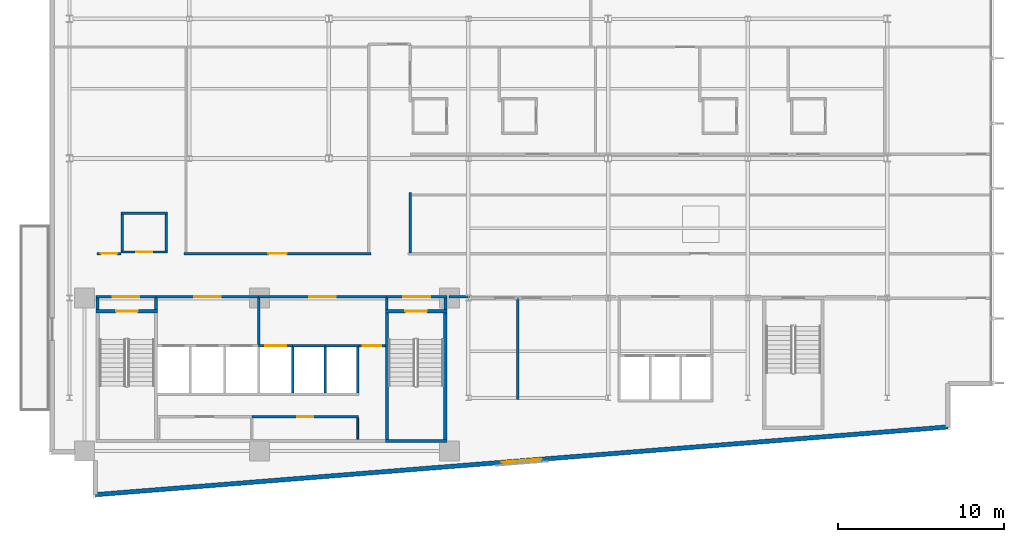
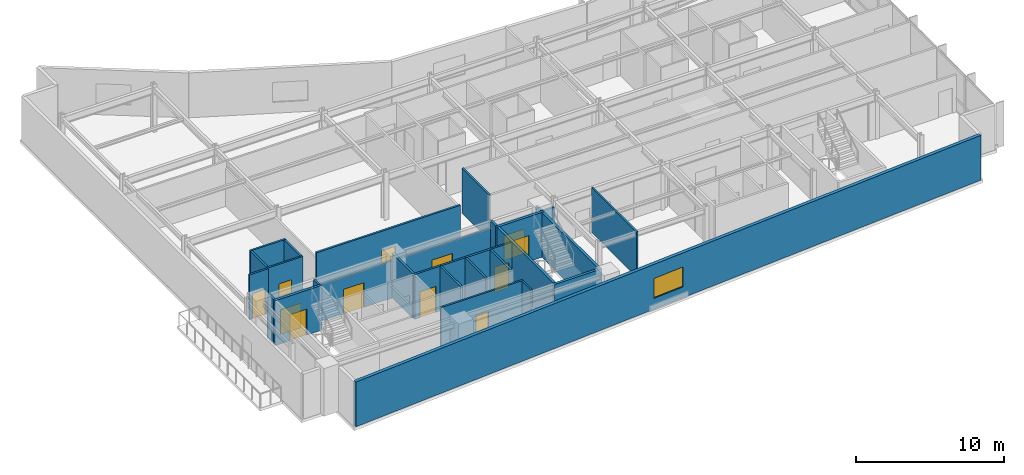
# One storey, part 10 of 18: 33 walls, 12 doors, 1 window, 13 openings.
"""IFC4 building model written with IfcOpenShell, lengths in metres."""

from ifc_helpers import new_model, si_unit, direction, frame, frame_2d, origin, place, context, subcontext, project, spatial, rectangle, extrude, material, layer, layer_set, type_object, element, fill, save


model = new_model("IFC4")

# Units and contexts
model_context = context("Model", 3, precision=1e-05, world=origin(), true_north=direction((0.0, 1.0)))
body_context = subcontext(model_context, "Body", "Model", "MODEL_VIEW")
ifc_project = project(units=[si_unit("LENGTHUNIT", "METRE"), si_unit("AREAUNIT", "SQUARE_METRE"), si_unit("VOLUMEUNIT", "CUBIC_METRE"), si_unit("PLANEANGLEUNIT", "RADIAN"), si_unit("MASSUNIT", "GRAM", prefix="KILO")], contexts=[model_context])

# Site, building, storey
site_placement = place(None, origin())
site = spatial("IfcSite", under=ifc_project, at=site_placement, CompositionType="ELEMENT")
building_placement = place(site_placement, origin())
building = spatial("IfcBuilding", under=site, at=building_placement, Name="Varnakote Quay Hospital", CompositionType="ELEMENT")
storey_placement = place(building_placement, frame((0.0, 0.0, 138.89990234375)))
storey = spatial("IfcBuildingStorey", under=building, at=storey_placement, Name="L34", CompositionType="ELEMENT", Elevation=138.89990234375)

# Wall
ifc_material_1 = material(Name="Fire-rated acoustic gypsum stud wall", Category="gypsum")
ifc_layer_1 = layer(ifc_material_1, 0.159912109375)
ifc_layer_set_1 = layer_set([ifc_layer_1], Name="Fire-rated acoustic gypsum stud wall")
wall_type_1 = type_object("IfcWallType", Name="WL-COMP-160", PredefinedType="PARTITIONING", material=ifc_layer_set_1)
wall_1_placement = place(storey_placement, frame((2.8798828125, 11.300048828125, 0.0), z_axis=(0.0, 0.0, 1.0), x_axis=(0.0, 1.0, 0.0)))
element("IfcWall", 1, at=wall_1_placement, inside=storey, type_object=wall_type_1, Name="L34 West Stair Vestibule West Wall", PredefinedType="PARTITIONING", context=body_context, shape_type="SweptSolid", body=[
    extrude(rectangle(XDim=0.699951171875, YDim=0.159912109375, at=frame_2d((0.35009765625, 0.0))), origin(), (0.0, 0.0, 1.0), 3.710205078125),
])

# Wall, opening, door
wall_2_placement = place(storey_placement, frame((2.800048828125, 12.080078125, 0.0), z_axis=(0.0, 0.0, 1.0), x_axis=(1.0, 0.0, 0.0)))
wall_2 = element("IfcWall", 2, at=wall_2_placement, inside=storey, type_object=wall_type_1, Name="L34 West Stair Vestibule Smoke Wall", PredefinedType="PARTITIONING", context=body_context, shape_type="SweptSolid", body=[
    extrude(rectangle(XDim=3.599853515625, YDim=0.159912109375, at=frame_2d((1.7998046875, 0.0))), origin(), (0.0, 0.0, 1.0), 3.0830078125),
])
opening_1_placement = place(wall_2_placement, frame((1.0, 0.0, 0.0)))
opening_1 = element("IfcOpeningElement", 3, at=opening_1_placement, cuts=wall_2, Name="Opening D-ST1L-L34", PredefinedType="OPENING", context=body_context, shape_type="SweptSolid", body=[
    extrude(rectangle(XDim=1.60009765625, YDim=2.050048828125, at=frame_2d((0.800048828125, 1.02490234375))), frame((0.0, 0.08984375, 0.0), z_axis=(0.0, -1.0, 0.0), x_axis=(1.0, 0.0, 0.0)), (0.0, 0.0, 1.0), 0.179931640625),
])
ifc_material_2 = material(Name="Fire-rated double smoke lobby door")
door_type_1 = type_object("IfcDoorType", Name="DR-LOBBY-FD60S-1600x2150", OperationType="NOTDEFINED", PredefinedType="DOOR", material=ifc_material_2)
door_1_placement = place(opening_1_placement, origin())
door_1 = element("IfcDoor", 4, at=door_1_placement, inside=storey, type_object=door_type_1, Name="L34 West Stair Vestibule Smoke Door", OperationType="DOUBLE_DOOR_SINGLE_SWING", OverallHeight=2.050048828125, OverallWidth=1.60009765625, PredefinedType="DOOR", context=body_context, shape_type="SweptSolid", body=[
    extrude(rectangle(XDim=1.60009765625, YDim=2.050048828125, at=frame_2d((0.800048828125, 1.02490234375))), frame((0.0, 0.02490234375, 0.0), z_axis=(0.0, -1.0, 0.0), x_axis=(1.0, 0.0, 0.0)), (0.0, 0.0, 1.0), 0.050048828125),
])
fill(opening_1, door_1)

# Wall
wall_3_placement = place(storey_placement, frame((6.39990234375, 11.300048828125, 0.0), z_axis=(0.0, 0.0, 1.0), x_axis=(0.0, 1.0, 0.0)))
element("IfcWall", 5, at=wall_3_placement, inside=storey, type_object=wall_type_1, Name="L34 Firefighting Lobby West Wall", PredefinedType="PARTITIONING", context=body_context, shape_type="SweptSolid", body=[
    extrude(rectangle(XDim=0.699951171875, YDim=0.159912109375, at=frame_2d((0.35009765625, 0.0))), origin(), (0.0, 0.0, 1.0), 3.710205078125),
])

# Wall, opening, door
wall_4_placement = place(storey_placement, frame((6.39990234375, 12.080078125, 0.0), z_axis=(0.0, 0.0, 1.0), x_axis=(1.0, 0.0, 0.0)))
wall_4 = element("IfcWall", 6, at=wall_4_placement, inside=storey, type_object=wall_type_1, Name="L34 Firefighting Lift Lobby Compartment Wall", PredefinedType="PARTITIONING", context=body_context, shape_type="SweptSolid", body=[
    extrude(rectangle(XDim=6.18017578125, YDim=0.159912109375, at=frame_2d((3.090087890625, 0.0))), origin(), (0.0, 0.0, 1.0), 3.0830078125),
])
opening_2_placement = place(wall_4_placement, frame((2.2900390625, 0.0, 0.0)))
opening_2 = element("IfcOpeningElement", 7, at=opening_2_placement, cuts=wall_4, Name="Opening D-FFL-L34", PredefinedType="OPENING", context=body_context, shape_type="SweptSolid", body=[
    extrude(rectangle(XDim=1.60009765625, YDim=2.050048828125, at=frame_2d((0.800048828125, 1.02490234375))), frame((0.0, 0.08984375, 0.0), z_axis=(0.0, -1.0, 0.0), x_axis=(1.0, 0.0, 0.0)), (0.0, 0.0, 1.0), 0.179931640625),
])
door_2_placement = place(opening_2_placement, origin())
door_2 = element("IfcDoor", 8, at=door_2_placement, inside=storey, type_object=door_type_1, Name="L34 Firefighting Smoke Vestibule Door", OperationType="DOUBLE_DOOR_SINGLE_SWING", OverallHeight=2.050048828125, OverallWidth=1.60009765625, PredefinedType="DOOR", context=body_context, shape_type="SweptSolid", body=[
    extrude(rectangle(XDim=1.60009765625, YDim=2.050048828125, at=frame_2d((0.800048828125, 1.02490234375))), frame((0.0, 0.02490234375, 0.0), z_axis=(0.0, -1.0, 0.0), x_axis=(1.0, 0.0, 0.0)), (0.0, 0.0, 1.0), 0.050048828125),
])
fill(opening_2, door_2)

# Wall
wall_5_placement = place(storey_placement, frame((12.580078125, 9.2099609375, 0.0), z_axis=(0.0, 0.0, 1.0), x_axis=(0.0, 1.0, 0.0)))
element("IfcWall", 9, at=wall_5_placement, inside=storey, type_object=wall_type_1, Name="L34 Firefighting to Service Lobby Wall", PredefinedType="PARTITIONING", context=body_context, shape_type="SweptSolid", body=[
    extrude(rectangle(XDim=2.7900390625, YDim=0.159912109375, at=frame_2d((1.39501953125, 0.0))), origin(), (0.0, 0.0, 1.0), 3.710205078125),
])

# Wall, opening, door
wall_6_placement = place(storey_placement, frame((12.580078125, 12.080078125, 0.0), z_axis=(0.0, 0.0, 1.0), x_axis=(1.0, 0.0, 0.0)))
wall_6 = element("IfcWall", 10, at=wall_6_placement, inside=storey, type_object=wall_type_1, Name="L34 Clinical Bed Lift Lobby Wall", PredefinedType="PARTITIONING", context=body_context, shape_type="SweptSolid", body=[
    extrude(rectangle(XDim=7.699951171875, YDim=0.159912109375, at=frame_2d((3.85009765625, 0.0))), origin(), (0.0, 0.0, 1.0), 3.0830078125),
])
opening_3_placement = place(wall_6_placement, frame((3.050048828125, 0.0, 0.0)))
opening_3 = element("IfcOpeningElement", 11, at=opening_3_placement, cuts=wall_6, Name="Opening D-SVL-L34", PredefinedType="OPENING", context=body_context, shape_type="SweptSolid", body=[
    extrude(rectangle(XDim=1.60009765625, YDim=2.050048828125, at=frame_2d((0.800048828125, 1.02490234375))), frame((0.0, 0.08984375, 0.0), z_axis=(0.0, -1.0, 0.0), x_axis=(1.0, 0.0, 0.0)), (0.0, 0.0, 1.0), 0.179931640625),
])
door_3_placement = place(opening_3_placement, origin())
door_3 = element("IfcDoor", 12, at=door_3_placement, inside=storey, type_object=door_type_1, Name="L34 Clinical Core Smoke Vestibule Door", OperationType="DOUBLE_DOOR_SINGLE_SWING", OverallHeight=2.050048828125, OverallWidth=1.60009765625, PredefinedType="DOOR", context=body_context, shape_type="SweptSolid", body=[
    extrude(rectangle(XDim=1.60009765625, YDim=2.050048828125, at=frame_2d((0.800048828125, 1.02490234375))), frame((0.0, 0.02490234375, 0.0), z_axis=(0.0, -1.0, 0.0), x_axis=(1.0, 0.0, 0.0)), (0.0, 0.0, 1.0), 0.050048828125),
])
fill(opening_3, door_3)

# Wall
wall_7_placement = place(storey_placement, frame((20.280029296875, 11.300048828125, 0.0), z_axis=(0.0, 0.0, 1.0), x_axis=(0.0, 1.0, 0.0)))
element("IfcWall", 13, at=wall_7_placement, inside=storey, type_object=wall_type_1, Name="L34 East Stair Vestibule Divider Wall", PredefinedType="PARTITIONING", context=body_context, shape_type="SweptSolid", body=[
    extrude(rectangle(XDim=0.699951171875, YDim=0.159912109375, at=frame_2d((0.35009765625, 0.0))), origin(), (0.0, 0.0, 1.0), 3.710205078125),
])

# Wall, opening, door
wall_8_placement = place(storey_placement, frame((20.280029296875, 12.080078125, 0.0), z_axis=(0.0, 0.0, 1.0), x_axis=(1.0, 0.0, 0.0)))
wall_8 = element("IfcWall", 14, at=wall_8_placement, inside=storey, type_object=wall_type_1, Name="L34 East Stair Vestibule Smoke Wall", PredefinedType="PARTITIONING", context=body_context, shape_type="SweptSolid", body=[
    extrude(rectangle(XDim=3.619873046875, YDim=0.159912109375, at=frame_2d((1.81005859375, 0.0))), origin(), (0.0, 0.0, 1.0), 3.0830078125),
])
opening_4_placement = place(wall_8_placement, frame((1.010009765625, 0.0, 0.0)))
opening_4 = element("IfcOpeningElement", 15, at=opening_4_placement, cuts=wall_8, Name="Opening D-ST2L-L34", PredefinedType="OPENING", context=body_context, shape_type="SweptSolid", body=[
    extrude(rectangle(XDim=1.60009765625, YDim=2.050048828125, at=frame_2d((0.800048828125, 1.02490234375))), frame((0.0, 0.08984375, 0.0), z_axis=(0.0, -1.0, 0.0), x_axis=(1.0, 0.0, 0.0)), (0.0, 0.0, 1.0), 0.179931640625),
])
door_4_placement = place(opening_4_placement, origin())
door_4 = element("IfcDoor", 16, at=door_4_placement, inside=storey, type_object=door_type_1, Name="L34 East Stair Vestibule Smoke Door", OperationType="DOUBLE_DOOR_SINGLE_SWING", OverallHeight=2.050048828125, OverallWidth=1.60009765625, PredefinedType="DOOR", context=body_context, shape_type="SweptSolid", body=[
    extrude(rectangle(XDim=1.60009765625, YDim=2.050048828125, at=frame_2d((0.800048828125, 1.02490234375))), frame((0.0, 0.02490234375, 0.0), z_axis=(0.0, -1.0, 0.0), x_axis=(1.0, 0.0, 0.0)), (0.0, 0.0, 1.0), 0.050048828125),
])
fill(opening_4, door_4)

# Walls
wall_9_placement = place(storey_placement, frame((23.820068359375, 11.300048828125, 0.0), z_axis=(0.0, 0.0, 1.0), x_axis=(0.0, 1.0, 0.0)))
element("IfcWall", 17, at=wall_9_placement, inside=storey, type_object=wall_type_1, Name="L34 East Stair Vestibule East Wall", PredefinedType="PARTITIONING", context=body_context, shape_type="SweptSolid", body=[
    extrude(rectangle(XDim=0.699951171875, YDim=0.159912109375, at=frame_2d((0.35009765625, 0.0))), origin(), (0.0, 0.0, 1.0), 3.710205078125),
])
wall_10_placement = place(storey_placement, frame((24.02001953125, 12.080078125, 0.0), z_axis=(0.0, 0.0, 1.0), x_axis=(1.0, 0.0, 0.0)))
element("IfcWall", 18, at=wall_10_placement, inside=storey, type_object=wall_type_1, Name="L34 Corridor South Gap Wall", PredefinedType="PARTITIONING", context=body_context, shape_type="SweptSolid", body=[
    extrude(rectangle(XDim=1.2451171875, YDim=0.159912109375, at=frame_2d((0.62255859375, 0.0))), origin(), (0.0, 0.0, 1.0), 3.0830078125),
])

# Wall, opening, window
ifc_material_3 = material(Name="Precast concrete N50 (f'c 50 MPa)", Category="concrete")
ifc_layer_2 = layer(ifc_material_3, 0.260009765625)
ifc_layer_set_2 = layer_set([ifc_layer_2], Name="Precast concrete N50 (f'c 50 MPa)")
wall_type_2 = type_object("IfcWallType", Name="WL-EXT-BRICK-260", PredefinedType="STANDARD", material=ifc_layer_set_2)
wall_11_placement = place(storey_placement, frame((2.760009765625, 0.173095703125, 0.0), z_axis=(0.0, 0.0, 1.0), x_axis=(0.996857931723, 0.079210251617, 0.0)))
wall_11 = element("IfcWall", 19, at=wall_11_placement, inside=storey, type_object=wall_type_2, Name="L34 Brick-Faced Precast Exterior Wall", PredefinedType="STANDARD", context=body_context, shape_type="SweptSolid", body=[
    extrude(rectangle(XDim=51.441650390625, YDim=0.260009765625, at=frame_2d((25.720703125, 0.0))), origin(), (0.0, 0.0, 1.0), 3.710205078125),
])
opening_5_placement = place(wall_11_placement, frame((24.520751953125, 0.0, 0.89990234375)))
opening_5 = element("IfcOpeningElement", 20, at=opening_5_placement, cuts=wall_11, Name="Opening WN-0146", PredefinedType="OPENING", context=body_context, shape_type="SweptSolid", body=[
    extrude(rectangle(XDim=2.39990234375, YDim=1.64990234375, at=frame_2d((1.199951171875, 0.824951171875))), frame((0.0, 0.139892578125, 0.0), z_axis=(0.0, -1.0, 0.0), x_axis=(1.0, 0.0, 0.0)), (0.0, 0.0, 1.0), 0.280029296875),
])
ifc_material_4 = material(Name="Double-glazed low-E solar glass", Category="glass")
window_type = type_object("IfcWindowType", Name="WIN-CLIN-2400x1650", PartitioningType="SINGLE_PANEL", PredefinedType="WINDOW", material=ifc_material_4)
window_placement = place(opening_5_placement, origin())
window = element("IfcWindow", 21, at=window_placement, inside=storey, type_object=window_type, Name="L34 Solar-Control Clinical Window", OverallHeight=1.64990234375, OverallWidth=2.39990234375, PartitioningType="SINGLE_PANEL", PredefinedType="WINDOW", context=body_context, shape_type="SweptSolid", body=[
    extrude(rectangle(XDim=2.39990234375, YDim=1.64990234375, at=frame_2d((1.199951171875, 0.824951171875))), frame((0.0, 0.030029296875, 0.0), z_axis=(0.0, -1.0, 0.0), x_axis=(1.0, 0.0, 0.0)), (0.0, 0.0, 1.0), 0.06005859375),
])
fill(opening_5, window)

# Walls
ifc_material_5 = material(Name="Concrete N50 (f'c 50 MPa)", Category="concrete")
ifc_layer_3 = layer(ifc_material_5, 0.14990234375)
ifc_layer_set_3 = layer_set([ifc_layer_3], Name="Concrete N50 (f'c 50 MPa)")
wall_type_3 = type_object("IfcWallType", Name="WL-SHAFT-N50-150", PredefinedType="SHEAR", material=ifc_layer_set_3)
for number, where, z_axis, x_axis, name in (
    (22, (14.625, 6.300048828125, 0.0), (0.0, 0.0, 1.0), (0.0, 1.0, 0.0), "L34 LF-SV2 Hoistway Divider Wall"),
    (23, (16.574951171875, 6.300048828125, 0.0), (0.0, 0.0, 1.0), (0.0, 1.0, 0.0), "L34 LF-PH1 Hoistway Divider Wall"),
):
    element("IfcWall", number, at=place(storey_placement, frame(where, z_axis=z_axis, x_axis=x_axis)), inside=storey, type_object=wall_type_3, Name=name, PredefinedType="SHEAR", context=body_context, shape_type="SweptSolid", body=[
        extrude(rectangle(XDim=2.75, YDim=0.14990234375, at=frame_2d((1.375, 0.0))), origin(), (0.0, 0.0, 1.0), 3.710205078125),
    ])
ifc_material_6 = material(Name="Concrete N50 (f'c 50 MPa)", Category="concrete")
ifc_layer_4 = layer(ifc_material_6, 0.159912109375)
ifc_layer_set_4 = layer_set([ifc_layer_4], Name="Concrete N50 (f'c 50 MPa)")
wall_type_4 = type_object("IfcWallType", Name="WL-SHAFT-N50-160", PredefinedType="SHEAR", material=ifc_layer_set_4)
wall_12_placement = place(storey_placement, frame((18.530029296875, 6.300048828125, 0.0), z_axis=(0.0, 0.0, 1.0), x_axis=(0.0, 1.0, 0.0)))
element("IfcWall", 24, at=wall_12_placement, inside=storey, type_object=wall_type_4, Name="L34 REAR Lift Bank East Shear Wall", PredefinedType="SHEAR", context=body_context, shape_type="SweptSolid", body=[
    extrude(rectangle(XDim=2.75, YDim=0.159912109375, at=frame_2d((1.375, 0.0))), origin(), (0.0, 0.0, 1.0), 3.710205078125),
])

# Wall, opening, door
wall_13_placement = place(storey_placement, frame((12.574951171875, 9.1298828125, 0.0), z_axis=(0.0, 0.0, 1.0), x_axis=(1.0, 0.0, 0.0)))
wall_13 = element("IfcWall", 25, at=wall_13_placement, inside=storey, type_object=wall_type_4, Name="L34 LF-SV2 Hoistway Front Wall", PredefinedType="SHEAR", context=body_context, shape_type="SweptSolid", body=[
    extrude(rectangle(XDim=2.050048828125, YDim=0.159912109375, at=frame_2d((1.02490234375, 0.0))), origin(), (0.0, 0.0, 1.0), 3.710205078125),
])
opening_6_placement = place(wall_13_placement, frame((0.39990234375, 0.0, 0.0)))
opening_6 = element("IfcOpeningElement", 26, at=opening_6_placement, cuts=wall_13, Name="Opening LD-SV2-L34", PredefinedType="OPENING", context=body_context, shape_type="SweptSolid", body=[
    extrude(rectangle(XDim=1.25, YDim=2.14990234375, at=frame_2d((0.625, 1.074951171875))), frame((0.0, 0.08984375, 0.0), z_axis=(0.0, -1.0, 0.0), x_axis=(1.0, 0.0, 0.0)), (0.0, 0.0, 1.0), 0.179931640625),
])
ifc_material_7 = material(Name="Stainless steel lift landing sliding door", Category="steel")
door_type_2 = type_object("IfcDoorType", Name="DR-LIFT-LD-1250x2150", OperationType="NOTDEFINED", PredefinedType="DOOR", material=ifc_material_7)
door_5_placement = place(opening_6_placement, origin())
door_5 = element("IfcDoor", 27, at=door_5_placement, inside=storey, type_object=door_type_2, Name="L34 LF-SV2 Lift Landing Sliding Door", OperationType="SLIDING_TO_LEFT", OverallHeight=2.14990234375, OverallWidth=1.25, PredefinedType="DOOR", context=body_context, shape_type="SweptSolid", body=[
    extrude(rectangle(XDim=1.25, YDim=2.14990234375, at=frame_2d((0.625, 1.074951171875))), frame((0.0, 0.02490234375, 0.0), z_axis=(0.0, -1.0, 0.0), x_axis=(1.0, 0.0, 0.0)), (0.0, 0.0, 1.0), 0.050048828125),
])
fill(opening_6, door_5)

# Walls
wall_14_placement = place(storey_placement, frame((14.625, 9.1298828125, 0.0), z_axis=(0.0, 0.0, 1.0), x_axis=(1.0, 0.0, 0.0)))
element("IfcWall", 28, at=wall_14_placement, inside=storey, type_object=wall_type_4, Name="L34 LF-PH1 Hoistway Front Wall", PredefinedType="SHEAR", context=body_context, shape_type="SweptSolid", body=[
    extrude(rectangle(XDim=1.949951171875, YDim=0.159912109375, at=frame_2d((0.97509765625, 0.0))), origin(), (0.0, 0.0, 1.0), 3.710205078125),
])
wall_15_placement = place(storey_placement, frame((16.574951171875, 9.1298828125, 0.0), z_axis=(0.0, 0.0, 1.0), x_axis=(1.0, 0.0, 0.0)))
element("IfcWall", 29, at=wall_15_placement, inside=storey, type_object=wall_type_4, Name="L34 LF-PH2 Hoistway Front Wall", PredefinedType="SHEAR", context=body_context, shape_type="SweptSolid", body=[
    extrude(rectangle(XDim=2.03515625, YDim=0.159912109375, at=frame_2d((1.017578125, 0.0))), origin(), (0.0, 0.0, 1.0), 3.710205078125),
])

# Wall, opening, door
ifc_material_8 = material(Name="Concrete N50 (f'c 50 MPa)", Category="concrete")
ifc_layer_5 = layer(ifc_material_8, 0.199951171875)
ifc_layer_set_5 = layer_set([ifc_layer_5], Name="Concrete N50 (f'c 50 MPa)")
wall_type_5 = type_object("IfcWallType", Name="WL-SHAFT-N50-200", PredefinedType="SHEAR", material=ifc_layer_set_5)
wall_16_placement = place(storey_placement, frame((2.800048828125, 11.199951171875, 0.0), z_axis=(0.0, 0.0, 1.0), x_axis=(1.0, 0.0, 0.0)))
wall_16 = element("IfcWall", 30, at=wall_16_placement, inside=storey, type_object=wall_type_5, Name="L34 Stair ST1 Exit Wall", PredefinedType="SHEAR", context=body_context, shape_type="SweptSolid", body=[
    extrude(rectangle(XDim=3.699951171875, YDim=0.199951171875, at=frame_2d((1.85009765625, 0.0))), origin(), (0.0, 0.0, 1.0), 3.710205078125),
])
opening_7_placement = place(wall_16_placement, frame((1.199951171875, 0.0, 0.0)))
opening_7 = element("IfcOpeningElement", 31, at=opening_7_placement, cuts=wall_16, Name="Opening D-ST1-L34", PredefinedType="OPENING", context=body_context, shape_type="SweptSolid", body=[
    extrude(rectangle(XDim=1.300048828125, YDim=2.14990234375, at=frame_2d((0.64990234375, 1.074951171875))), frame((0.0, 0.10986328125, 0.0), z_axis=(0.0, -1.0, 0.0), x_axis=(1.0, 0.0, 0.0)), (0.0, 0.0, 1.0), 0.219970703125),
])
ifc_material_9 = material(Name="Fire-rated ceramic-glazed timber exit door", Category="wood")
door_type_3 = type_object("IfcDoorType", Name="DR-STAIR-FD60S-1300x2150", OperationType="NOTDEFINED", PredefinedType="DOOR", material=ifc_material_9)
door_6_placement = place(opening_7_placement, origin())
door_6 = element("IfcDoor", 32, at=door_6_placement, inside=storey, type_object=door_type_3, Name="L34 Stair ST1 Fire Exit Door", OperationType="SINGLE_SWING_LEFT", OverallHeight=2.14990234375, OverallWidth=1.300048828125, PredefinedType="DOOR", context=body_context, shape_type="SweptSolid", body=[
    extrude(rectangle(XDim=1.300048828125, YDim=2.14990234375, at=frame_2d((0.64990234375, 1.074951171875))), frame((0.0, 0.02490234375, 0.0), z_axis=(0.0, -1.0, 0.0), x_axis=(1.0, 0.0, 0.0)), (0.0, 0.0, 1.0), 0.050048828125),
])
fill(opening_7, door_6)

# Walls
wall_17_placement = place(storey_placement, frame((20.199951171875, 3.39990234375, 0.0), z_axis=(0.0, 0.0, 1.0), x_axis=(1.0, 0.0, 0.0)))
element("IfcWall", 33, at=wall_17_placement, inside=storey, type_object=wall_type_5, Name="L34 Stair ST2 South Shaft Wall", PredefinedType="SHEAR", context=body_context, shape_type="SweptSolid", body=[
    extrude(rectangle(XDim=3.699951171875, YDim=0.199951171875, at=frame_2d((1.85009765625, 0.0))), origin(), (0.0, 0.0, 1.0), 3.710205078125),
])
for number, where, z_axis, x_axis, name in (
    (34, (20.300048828125, 3.5, 0.0), (0.0, 0.0, 1.0), (0.0, 1.0, 0.0), "L34 Stair ST2 West Shaft Wall"),
    (35, (23.800048828125, 3.5, 0.0), (0.0, 0.0, 1.0), (0.0, 1.0, 0.0), "L34 Stair ST2 East Shaft Wall"),
):
    element("IfcWall", number, at=place(storey_placement, frame(where, z_axis=z_axis, x_axis=x_axis)), inside=storey, type_object=wall_type_5, Name=name, PredefinedType="SHEAR", context=body_context, shape_type="SweptSolid", body=[
        extrude(rectangle(XDim=7.60009765625, YDim=0.199951171875, at=frame_2d((3.800048828125, 0.0))), origin(), (0.0, 0.0, 1.0), 3.710205078125),
    ])

# Wall, opening, door
wall_18_placement = place(storey_placement, frame((20.199951171875, 11.199951171875, 0.0), z_axis=(0.0, 0.0, 1.0), x_axis=(1.0, 0.0, 0.0)))
wall_18 = element("IfcWall", 36, at=wall_18_placement, inside=storey, type_object=wall_type_5, Name="L34 Stair ST2 Exit Wall", PredefinedType="SHEAR", context=body_context, shape_type="SweptSolid", body=[
    extrude(rectangle(XDim=3.699951171875, YDim=0.199951171875, at=frame_2d((1.85009765625, 0.0))), origin(), (0.0, 0.0, 1.0), 3.710205078125),
])
opening_8_placement = place(wall_18_placement, frame((1.199951171875, 0.0, 0.0)))
opening_8 = element("IfcOpeningElement", 37, at=opening_8_placement, cuts=wall_18, Name="Opening D-ST2-L34", PredefinedType="OPENING", context=body_context, shape_type="SweptSolid", body=[
    extrude(rectangle(XDim=1.300048828125, YDim=2.14990234375, at=frame_2d((0.64990234375, 1.074951171875))), frame((0.0, 0.10986328125, 0.0), z_axis=(0.0, -1.0, 0.0), x_axis=(1.0, 0.0, 0.0)), (0.0, 0.0, 1.0), 0.219970703125),
])
door_7_placement = place(opening_8_placement, origin())
door_7 = element("IfcDoor", 38, at=door_7_placement, inside=storey, type_object=door_type_3, Name="L34 Stair ST2 Fire Exit Door", OperationType="SINGLE_SWING_RIGHT", OverallHeight=2.14990234375, OverallWidth=1.300048828125, PredefinedType="DOOR", context=body_context, shape_type="SweptSolid", body=[
    extrude(rectangle(XDim=1.300048828125, YDim=2.14990234375, at=frame_2d((0.64990234375, 1.074951171875))), frame((0.0, 0.02490234375, 0.0), z_axis=(0.0, -1.0, 0.0), x_axis=(1.0, 0.0, 0.0)), (0.0, 0.0, 1.0), 0.050048828125),
])
fill(opening_8, door_7)

# Walls
ifc_material_10 = material(Name="Smoke-proof clinical partition", Category="gypsum")
ifc_layer_6 = layer(ifc_material_10, 0.1201171875)
ifc_layer_set_6 = layer_set([ifc_layer_6], Name="Smoke-proof clinical partition")
wall_type_6 = type_object("IfcWallType", Name="WL-SMOKE-120", PredefinedType="PARTITIONING", material=ifc_layer_set_6)
wall_19_placement = place(storey_placement, frame((18.5400390625, 3.52001953125, 0.0), z_axis=(0.0, 0.0, 1.0), x_axis=(0.0, 1.0, 0.0)))
element("IfcWall", 39, at=wall_19_placement, inside=storey, type_object=wall_type_6, Name="L34 Core South Service East Wall", PredefinedType="PARTITIONING", context=body_context, shape_type="SweptSolid", body=[
    extrude(rectangle(XDim=1.260009765625, YDim=0.1201171875, at=frame_2d((0.6298828125, 0.0))), origin(), (0.0, 0.0, 1.0), 3.710205078125),
])
ifc_material_11 = material(Name="Smoke-proof clinical partition", Category="gypsum")
ifc_layer_7 = layer(ifc_material_11, 0.135009765625)
ifc_layer_set_7 = layer_set([ifc_layer_7], Name="Smoke-proof clinical partition")
wall_type_7 = type_object("IfcWallType", Name="WL-SMOKE-135", PredefinedType="PARTITIONING", material=ifc_layer_set_7)
wall_20_placement = place(storey_placement, frame((28.159912109375, 5.89990234375, 0.0), z_axis=(0.0, 0.0, 1.0), x_axis=(0.0, 1.0, 0.0)))
element("IfcWall", 40, at=wall_20_placement, inside=storey, type_object=wall_type_7, Name="L34 Clinical Interior Partition", PredefinedType="PARTITIONING", context=body_context, shape_type="SweptSolid", body=[
    extrude(rectangle(XDim=6.10009765625, YDim=0.135009765625, at=frame_2d((3.050048828125, 0.0))), origin(), (0.0, 0.0, 1.0), 3.710205078125),
])

# Wall, opening, door
ifc_material_12 = material(Name="Fire-rated clinical gypsum partition", Category="gypsum")
ifc_layer_8 = layer(ifc_material_12, 0.139892578125)
ifc_layer_set_8 = layer_set([ifc_layer_8], Name="Fire-rated clinical gypsum partition")
wall_type_8 = type_object("IfcWallType", Name="WL-WARD-140", PredefinedType="PARTITIONING", material=ifc_layer_set_8)
wall_21_placement = place(storey_placement, frame((12.169921875, 4.85009765625, 0.0), z_axis=(0.0, 0.0, 1.0), x_axis=(1.0, 0.0, 0.0)))
wall_21 = element("IfcWall", 41, at=wall_21_placement, inside=storey, type_object=wall_type_8, Name="L34 Core Staff Sanitary WC North Wall", PredefinedType="PARTITIONING", context=body_context, shape_type="SweptSolid", body=[
    extrude(rectangle(XDim=6.43017578125, YDim=0.139892578125, at=frame_2d((3.215087890625, 0.0))), origin(), (0.0, 0.0, 1.0), 3.710205078125),
])
opening_9_placement = place(wall_21_placement, frame((2.72509765625, 0.0, 0.0)))
opening_9 = element("IfcOpeningElement", 42, at=opening_9_placement, cuts=wall_21, Name="Opening D-L34-CR02", PredefinedType="OPENING", context=body_context, shape_type="SweptSolid", body=[
    extrude(rectangle(XDim=0.97998046875, YDim=2.10009765625, at=frame_2d((0.489990234375, 1.050048828125))), frame((0.0, 0.079833984375, 0.0), z_axis=(0.0, -1.0, 0.0), x_axis=(1.0, 0.0, 0.0)), (0.0, 0.0, 1.0), 0.159912109375),
])
ifc_material_13 = material(Name="Accessible sanitary compartment door")
door_type_4 = type_object("IfcDoorType", Name="DR-WC-980x2100", OperationType="NOTDEFINED", PredefinedType="DOOR", material=ifc_material_13)
door_8_placement = place(opening_9_placement, origin())
door_8 = element("IfcDoor", 43, at=door_8_placement, inside=storey, type_object=door_type_4, Name="L34 Core Staff Sanitary WC Door", OperationType="SINGLE_SWING_LEFT", OverallHeight=2.10009765625, OverallWidth=0.97998046875, PredefinedType="DOOR", context=body_context, shape_type="SweptSolid", body=[
    extrude(rectangle(XDim=0.97998046875, YDim=2.10009765625, at=frame_2d((0.489990234375, 1.050048828125))), frame((0.0, 0.02490234375, 0.0), z_axis=(0.0, -1.0, 0.0), x_axis=(1.0, 0.0, 0.0)), (0.0, 0.0, 1.0), 0.050048828125),
])
fill(opening_9, door_8)

wall_22_placement = place(storey_placement, frame((18.610107421875, 9.1298828125, 0.0), z_axis=(0.0, 0.0, 1.0), x_axis=(1.0, 0.0, 0.0)))
wall_22 = element("IfcWall", 44, at=wall_22_placement, inside=storey, type_object=wall_type_8, Name="L34 Core Service Corridor North Door Wall", PredefinedType="PARTITIONING", context=body_context, shape_type="SweptSolid", body=[
    extrude(rectangle(XDim=1.58984375, YDim=0.139892578125, at=frame_2d((0.794921875, 0.0))), origin(), (0.0, 0.0, 1.0), 3.710205078125),
])
opening_10_placement = place(wall_22_placement, frame((0.239990234375, 0.0, 0.0)))
opening_10 = element("IfcOpeningElement", 45, at=opening_10_placement, cuts=wall_22, Name="Opening D-CSRV-L34", PredefinedType="OPENING", context=body_context, shape_type="SweptSolid", body=[
    extrude(rectangle(XDim=1.10009765625, YDim=2.10009765625, at=frame_2d((0.550048828125, 1.050048828125))), frame((0.0, 0.079833984375, 0.0), z_axis=(0.0, -1.0, 0.0), x_axis=(1.0, 0.0, 0.0)), (0.0, 0.0, 1.0), 0.159912109375),
])
ifc_material_14 = material(Name="Acoustic timber clinical consult door", Category="wood")
door_type_5 = type_object("IfcDoorType", Name="DR-CLIN-FD30S-1100x2100", OperationType="NOTDEFINED", PredefinedType="DOOR", material=ifc_material_14)
door_9_placement = place(opening_10_placement, origin())
door_9 = element("IfcDoor", 46, at=door_9_placement, inside=storey, type_object=door_type_5, Name="L34 Core Service Corridor Door", OperationType="SINGLE_SWING_RIGHT", OverallHeight=2.10009765625, OverallWidth=1.10009765625, PredefinedType="DOOR", context=body_context, shape_type="SweptSolid", body=[
    extrude(rectangle(XDim=1.10009765625, YDim=2.10009765625, at=frame_2d((0.550048828125, 1.050048828125))), frame((0.0, 0.02490234375, 0.0), z_axis=(0.0, -1.0, 0.0), x_axis=(1.0, 0.0, 0.0)), (0.0, 0.0, 1.0), 0.050048828125),
])
fill(opening_10, door_9)

wall_23_placement = place(storey_placement, frame((4.31005859375, 14.77001953125, 0.0), z_axis=(0.0, 0.0, 1.0), x_axis=(1.0, 0.0, 0.0)))
wall_23 = element("IfcWall", 47, at=wall_23_placement, inside=storey, type_object=wall_type_8, Name="L34 Floor Unisex Accessible WC S Wall", PredefinedType="PARTITIONING", context=body_context, shape_type="SweptSolid", body=[
    extrude(rectangle(XDim=2.780029296875, YDim=0.139892578125, at=frame_2d((1.39013671875, 0.0))), origin(), (0.0, 0.0, 1.0), 3.710205078125),
])
opening_11_placement = place(wall_23_placement, frame((0.89990234375, 0.0, 0.0)))
opening_11 = element("IfcOpeningElement", 48, at=opening_11_placement, cuts=wall_23, Name="Opening D-L34-EW01", PredefinedType="OPENING", context=body_context, shape_type="SweptSolid", body=[
    extrude(rectangle(XDim=0.97998046875, YDim=2.10009765625, at=frame_2d((0.489990234375, 1.050048828125))), frame((0.0, 0.079833984375, 0.0), z_axis=(0.0, -1.0, 0.0), x_axis=(1.0, 0.0, 0.0)), (0.0, 0.0, 1.0), 0.159912109375),
])
door_10_placement = place(opening_11_placement, origin())
door_10 = element("IfcDoor", 49, at=door_10_placement, inside=storey, type_object=door_type_4, Name="L34 Floor Unisex Accessible WC Door", OperationType="SINGLE_SWING_LEFT", OverallHeight=2.10009765625, OverallWidth=0.97998046875, PredefinedType="DOOR", context=body_context, shape_type="SweptSolid", body=[
    extrude(rectangle(XDim=0.97998046875, YDim=2.10009765625, at=frame_2d((0.489990234375, 1.050048828125))), frame((0.0, 0.02490234375, 0.0), z_axis=(0.0, -1.0, 0.0), x_axis=(1.0, 0.0, 0.0)), (0.0, 0.0, 1.0), 0.050048828125),
])
fill(opening_11, door_10)

# Walls
wall_24_placement = place(storey_placement, frame((4.31005859375, 17.110107421875, 0.0), z_axis=(0.0, 0.0, 1.0), x_axis=(1.0, 0.0, 0.0)))
element("IfcWall", 50, at=wall_24_placement, inside=storey, type_object=wall_type_8, Name="L34 Floor Unisex Accessible WC N Wall", PredefinedType="PARTITIONING", context=body_context, shape_type="SweptSolid", body=[
    extrude(rectangle(XDim=2.780029296875, YDim=0.139892578125, at=frame_2d((1.39013671875, 0.0))), origin(), (0.0, 0.0, 1.0), 3.710205078125),
])
for number, where, z_axis, x_axis, name in (
    (51, (4.3798828125, 14.840087890625, 0.0), (0.0, 0.0, 1.0), (0.0, 1.0, 0.0), "L34 Floor Unisex Accessible WC W Wall"),
    (52, (7.02001953125, 14.840087890625, 0.0), (0.0, 0.0, 1.0), (0.0, 1.0, 0.0), "L34 Floor Unisex Accessible WC E Wall"),
):
    element("IfcWall", number, at=place(storey_placement, frame(where, z_axis=z_axis, x_axis=x_axis)), inside=storey, type_object=wall_type_8, Name=name, PredefinedType="PARTITIONING", context=body_context, shape_type="SweptSolid", body=[
        extrude(rectangle(XDim=2.199951171875, YDim=0.139892578125, at=frame_2d((1.10009765625, 0.0))), origin(), (0.0, 0.0, 1.0), 3.710205078125),
    ])

# Wall, opening, door
ifc_material_15 = material(Name="Fire-rated clinical gypsum partition", Category="gypsum")
ifc_layer_9 = layer(ifc_material_15, 0.14990234375)
ifc_layer_set_9 = layer_set([ifc_layer_9], Name="Fire-rated clinical gypsum partition")
wall_type_9 = type_object("IfcWallType", Name="WL-WARD-150", PredefinedType="PARTITIONING", material=ifc_layer_set_9)
wall_25_placement = place(storey_placement, frame((4.30810546875, 14.679931640625, 0.0), z_axis=(0.0, 0.0, 1.0), x_axis=(-1.0, 0.0, 0.0)))
wall_25 = element("IfcWall", 53, at=wall_25_placement, inside=storey, type_object=wall_type_9, Name="L34 Clinical Interior Partition", PredefinedType="PARTITIONING", context=body_context, shape_type="SweptSolid", body=[
    extrude(rectangle(XDim=1.4580078125, YDim=0.14990234375, at=frame_2d((0.72900390625, 0.0))), origin(), (0.0, 0.0, 1.0), 3.710205078125),
])
opening_12_placement = place(wall_25_placement, frame((0.239013671875, 0.0, 0.0)))
opening_12 = element("IfcOpeningElement", 54, at=opening_12_placement, cuts=wall_25, Name="Opening D-L34-DLNG", PredefinedType="OPENING", context=body_context, shape_type="SweptSolid", body=[
    extrude(rectangle(XDim=0.97998046875, YDim=2.10009765625, at=frame_2d((0.489990234375, 1.050048828125))), frame((0.0, 0.0849609375, 0.0), z_axis=(0.0, -1.0, 0.0), x_axis=(1.0, 0.0, 0.0)), (0.0, 0.0, 1.0), 0.169921875),
])
door_11_placement = place(opening_12_placement, origin())
door_11 = element("IfcDoor", 55, at=door_11_placement, inside=storey, type_object=door_type_4, Name="L34 Waterfront Patient & Family Dayroom Door", OperationType="SINGLE_SWING_LEFT", OverallHeight=2.10009765625, OverallWidth=0.97998046875, PredefinedType="DOOR", context=body_context, shape_type="SweptSolid", body=[
    extrude(rectangle(XDim=0.97998046875, YDim=2.10009765625, at=frame_2d((0.489990234375, 1.050048828125))), frame((0.0, 0.02490234375, 0.0), z_axis=(0.0, -1.0, 0.0), x_axis=(1.0, 0.0, 0.0)), (0.0, 0.0, 1.0), 0.050048828125),
])
fill(opening_12, door_11)

wall_26_placement = place(storey_placement, frame((19.345947265625, 14.679931640625, 0.0), z_axis=(0.0, 0.0, 1.0), x_axis=(-1.0, 0.0, 0.0)))
wall_26 = element("IfcWall", 56, at=wall_26_placement, inside=storey, type_object=wall_type_9, Name="L34 Clinical Interior Partition", PredefinedType="PARTITIONING", context=body_context, shape_type="SweptSolid", body=[
    extrude(rectangle(XDim=11.251953125, YDim=0.14990234375, at=frame_2d((5.6259765625, 0.0))), origin(), (0.0, 0.0, 1.0), 3.710205078125),
])
opening_13_placement = place(wall_26_placement, frame((5.075927734375, 0.0, 0.0)))
opening_13 = element("IfcOpeningElement", 57, at=opening_13_placement, cuts=wall_26, Name="Opening D-L34-MD01", PredefinedType="OPENING", context=body_context, shape_type="SweptSolid", body=[
    extrude(rectangle(XDim=1.10009765625, YDim=2.10009765625, at=frame_2d((0.550048828125, 1.050048828125))), frame((0.0, 0.0849609375, 0.0), z_axis=(0.0, -1.0, 0.0), x_axis=(1.0, 0.0, 0.0)), (0.0, 0.0, 1.0), 0.169921875),
])
door_12_placement = place(opening_13_placement, origin())
door_12 = element("IfcDoor", 58, at=door_12_placement, inside=storey, type_object=door_type_5, Name="L34 Multidisciplinary Clinical Consultation Suite Door", OperationType="SINGLE_SWING_RIGHT", OverallHeight=2.10009765625, OverallWidth=1.10009765625, PredefinedType="DOOR", context=body_context, shape_type="SweptSolid", body=[
    extrude(rectangle(XDim=1.10009765625, YDim=2.10009765625, at=frame_2d((0.550048828125, 1.050048828125))), frame((0.0, 0.02490234375, 0.0), z_axis=(0.0, -1.0, 0.0), x_axis=(1.0, 0.0, 0.0)), (0.0, 0.0, 1.0), 0.050048828125),
])
fill(opening_13, door_12)

# Wall
wall_27_placement = place(storey_placement, frame((21.699951171875, 14.699951171875, 0.0), z_axis=(0.0, 0.0, 1.0), x_axis=(0.0, 1.0, 0.0)))
element("IfcWall", 59, at=wall_27_placement, inside=storey, type_object=wall_type_9, Name="L34 Clinical Interior Partition", PredefinedType="PARTITIONING", context=body_context, shape_type="SweptSolid", body=[
    extrude(rectangle(XDim=3.64599609375, YDim=0.14990234375, at=frame_2d((1.822998046875, 0.0))), origin(), (0.0, 0.0, 1.0), 3.710205078125),
])

save(model, "model.ifc")
